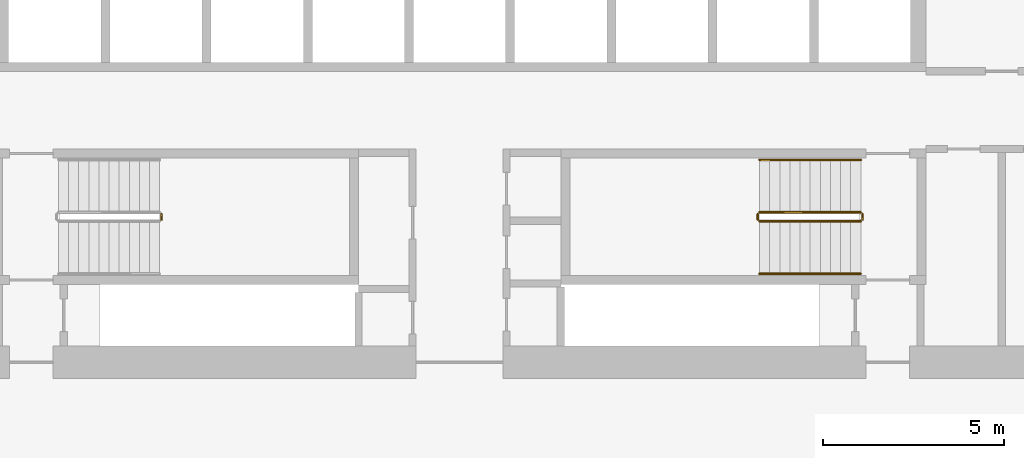
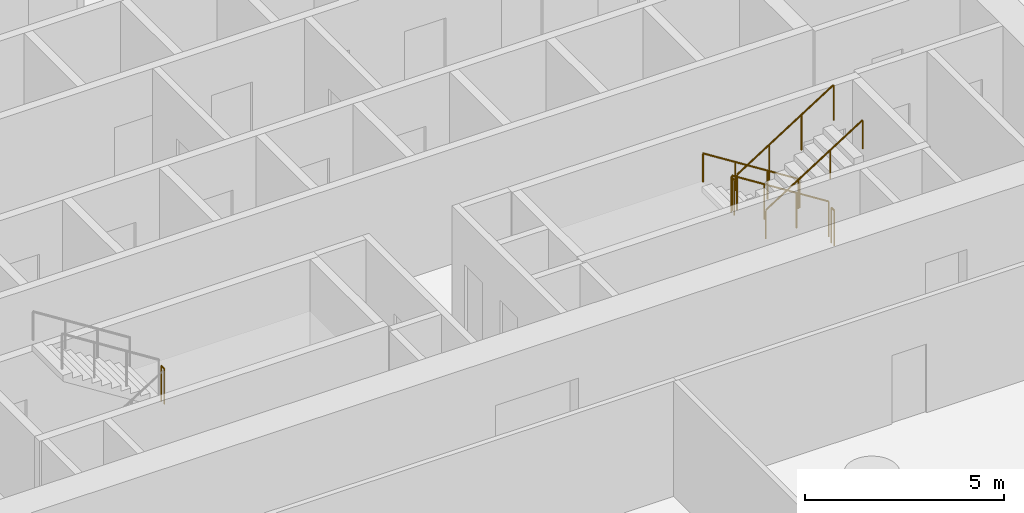
# One storey, part 13 of 18: 7 railings.
"""IFC4 building model written with IfcOpenShell, lengths in metres."""

from ifc_helpers import new_model, si_unit, direction, frame, origin, origin_2d, place, context, subcontext, project, spatial, circle, extrude, material, type_object, element, save


model = new_model("IFC4")

# Units and contexts
model_context = context("Model", 3, precision=1e-05, world=origin(), true_north=direction((0.0, 1.0)))
body_context = subcontext(model_context, "Body", "Model", "MODEL_VIEW")
ifc_project = project(units=[si_unit("LENGTHUNIT", "METRE"), si_unit("AREAUNIT", "SQUARE_METRE"), si_unit("VOLUMEUNIT", "CUBIC_METRE"), si_unit("PLANEANGLEUNIT", "RADIAN"), si_unit("MASSUNIT", "GRAM", prefix="KILO")], contexts=[model_context])

# Site, building, storey
site_placement = place(None, origin())
site = spatial("IfcSite", under=ifc_project, at=site_placement, CompositionType="ELEMENT")
building_placement = place(site_placement, origin())
building = spatial("IfcBuilding", under=site, at=building_placement, Name="Dhurran Vertical Campus", CompositionType="ELEMENT")
storey_placement = place(building_placement, frame((0.0, 0.0, 53.39990234375)))
storey = spatial("IfcBuildingStorey", under=building, at=storey_placement, Name="L12", CompositionType="ELEMENT", Elevation=53.39990234375)

# Railings
ifc_material_1 = material(Name="Stainless steel balustrade", Category="steel")
railing_type_1 = type_object("IfcRailingType", Name="co-RL-GUARD-1100", PredefinedType="GUARDRAIL", material=ifc_material_1)
railing_1_placement = place(storey_placement, frame((-8.25, -9.10009765625, 1.9501953125)))
element("IfcRailing", 1, at=railing_1_placement, inside=storey, type_object=railing_type_1, Name="L12 ST3 stair guard 2", PredefinedType="GUARDRAIL", context=body_context, shape_type="SweptSolid", body=[
    extrude(circle(Radius=0.02392578125, at=origin_2d()), frame((0.0, 0.0, 1.076171875), z_axis=(0.0, 1.0, 0.0), x_axis=(-1.0, 0.0, 0.0)), (0.0, 0.0, 1.0), 0.150146484375),
    extrude(circle(Radius=0.02099609375, at=origin_2d()), origin(), (0.0, 0.0, 1.0), 1.052001953125),
    extrude(circle(Radius=0.02099609375, at=origin_2d()), frame((0.0, 0.150146484375, 0.0)), (0.0, 0.0, 1.0), 1.052001953125),
])
railing_2_placement = place(storey_placement, frame((11.10009765625, -8.89990234375, 0.177490234375)))
element("IfcRailing", 2, at=railing_2_placement, inside=storey, type_object=railing_type_1, Name="L12 ST4 stair guard 1", PredefinedType="GUARDRAIL", context=body_context, shape_type="SweptSolid", body=[
    extrude(circle(Radius=0.02392578125, at=origin_2d()), frame((0.0, 0.0, 1.076171875), z_axis=(-0.844908973607, 0.0, 0.534910110503), x_axis=(0.0, -1.0, 0.0)), (0.0, 0.0, 1.0), 3.31396484375),
    extrude(circle(Radius=0.02099609375, at=origin_2d()), origin(), (0.0, 0.0, 1.0), 1.052001953125),
    extrude(circle(Radius=0.02099609375, at=origin_2d()), frame((-0.933349609375, 0.0, 0.5908203125)), (0.0, 0.0, 1.0), 1.052001953125),
    extrude(circle(Radius=0.02099609375, at=origin_2d()), frame((-1.86669921875, 0.0, 1.181884765625)), (0.0, 0.0, 1.0), 1.052001953125),
    extrude(circle(Radius=0.02099609375, at=origin_2d()), frame((-2.800048828125, 0.0, 1.772705078125)), (0.0, 0.0, 1.0), 1.052001953125),
])
railing_3_placement = place(storey_placement, frame((8.25, -8.949951171875, 1.9501953125)))
element("IfcRailing", 3, at=railing_3_placement, inside=storey, type_object=railing_type_1, Name="L12 ST4 stair guard 2", PredefinedType="GUARDRAIL", context=body_context, shape_type="SweptSolid", body=[
    extrude(circle(Radius=0.02392578125, at=origin_2d()), frame((0.0, 0.0, 1.076171875), z_axis=(0.0, -1.0, 0.0), x_axis=(1.0, 0.0, 0.0)), (0.0, 0.0, 1.0), 0.150146484375),
    extrude(circle(Radius=0.02099609375, at=origin_2d()), origin(), (0.0, 0.0, 1.0), 1.052001953125),
    extrude(circle(Radius=0.02099609375, at=origin_2d()), frame((0.0, -0.150146484375, 0.0)), (0.0, 0.0, 1.0), 1.052001953125),
])
railing_4_placement = place(storey_placement, frame((8.300048828125, -9.14990234375, 2.12744140625)))
element("IfcRailing", 4, at=railing_4_placement, inside=storey, type_object=railing_type_1, Name="L12 ST4 stair guard 3", PredefinedType="GUARDRAIL", context=body_context, shape_type="SweptSolid", body=[
    extrude(circle(Radius=0.02392578125, at=origin_2d()), frame((0.0, 0.0, 1.076171875), z_axis=(0.844908973607, 0.0, 0.534910110503), x_axis=(0.0, 1.0, 0.0)), (0.0, 0.0, 1.0), 3.31396484375),
    extrude(circle(Radius=0.02099609375, at=origin_2d()), origin(), (0.0, 0.0, 1.0), 1.052001953125),
    extrude(circle(Radius=0.02099609375, at=origin_2d()), frame((0.933349609375, 0.0, 0.5908203125)), (0.0, 0.0, 1.0), 1.052001953125),
    extrude(circle(Radius=0.02099609375, at=origin_2d()), frame((1.86669921875, 0.0, 1.181884765625)), (0.0, 0.0, 1.0), 1.052001953125),
    extrude(circle(Radius=0.02099609375, at=origin_2d()), frame((2.800048828125, 0.0, 1.772705078125)), (0.0, 0.0, 1.0), 1.052001953125),
])
railing_5_placement = place(storey_placement, frame((11.14990234375, -8.949951171875, 0.0)))
element("IfcRailing", 5, at=railing_5_placement, inside=storey, type_object=railing_type_1, Name="L12 ST4 stair guard 4", PredefinedType="GUARDRAIL", context=body_context, shape_type="SweptSolid", body=[
    extrude(circle(Radius=0.02392578125, at=origin_2d()), frame((0.0, 0.0, 1.076171875), z_axis=(0.0, -1.0, 0.0), x_axis=(1.0, 0.0, 0.0)), (0.0, 0.0, 1.0), 0.150146484375),
    extrude(circle(Radius=0.02099609375, at=origin_2d()), origin(), (0.0, 0.0, 1.0), 1.052001953125),
    extrude(circle(Radius=0.02099609375, at=origin_2d()), frame((0.0, -0.150146484375, 0.0)), (0.0, 0.0, 1.0), 1.052001953125),
])
ifc_material_2 = material(Name="Stainless steel handrail", Category="steel")
railing_type_2 = type_object("IfcRailingType", Name="co-RL-HANDRAIL-900", PredefinedType="HANDRAIL", material=ifc_material_2)
railing_6_placement = place(storey_placement, frame((11.10009765625, -7.449951171875, 0.177490234375)))
element("IfcRailing", 6, at=railing_6_placement, inside=storey, type_object=railing_type_2, Name="L12 ST4 stair handrail 1", PredefinedType="HANDRAIL", context=body_context, shape_type="SweptSolid", body=[
    extrude(circle(Radius=0.02392578125, at=origin_2d()), frame((0.0, 0.0, 0.8759765625), z_axis=(-0.844908973607, 0.0, 0.534910110503), x_axis=(0.0, -1.0, 0.0)), (0.0, 0.0, 1.0), 3.31396484375),
    extrude(circle(Radius=0.02099609375, at=origin_2d()), origin(), (0.0, 0.0, 1.0), 0.851806640625),
    extrude(circle(Radius=0.02099609375, at=origin_2d()), frame((-0.933349609375, 0.0, 0.5908203125)), (0.0, 0.0, 1.0), 0.851806640625),
    extrude(circle(Radius=0.02099609375, at=origin_2d()), frame((-1.86669921875, 0.0, 1.181884765625)), (0.0, 0.0, 1.0), 0.851806640625),
    extrude(circle(Radius=0.02099609375, at=origin_2d()), frame((-2.800048828125, 0.0, 1.772705078125)), (0.0, 0.0, 1.0), 0.851806640625),
])
railing_7_placement = place(storey_placement, frame((8.300048828125, -10.60009765625, 2.12744140625)))
element("IfcRailing", 7, at=railing_7_placement, inside=storey, type_object=railing_type_2, Name="L12 ST4 stair handrail 2", PredefinedType="HANDRAIL", context=body_context, shape_type="SweptSolid", body=[
    extrude(circle(Radius=0.02392578125, at=origin_2d()), frame((0.0, 0.0, 0.8759765625), z_axis=(0.844908973607, 0.0, 0.534910110503), x_axis=(0.0, 1.0, 0.0)), (0.0, 0.0, 1.0), 3.31396484375),
    extrude(circle(Radius=0.02099609375, at=origin_2d()), origin(), (0.0, 0.0, 1.0), 0.851806640625),
    extrude(circle(Radius=0.02099609375, at=origin_2d()), frame((0.933349609375, 0.0, 0.5908203125)), (0.0, 0.0, 1.0), 0.851806640625),
    extrude(circle(Radius=0.02099609375, at=origin_2d()), frame((1.86669921875, 0.0, 1.181884765625)), (0.0, 0.0, 1.0), 0.851806640625),
    extrude(circle(Radius=0.02099609375, at=origin_2d()), frame((2.800048828125, 0.0, 1.772705078125)), (0.0, 0.0, 1.0), 0.851806640625),
])

save(model, "model.ifc")
